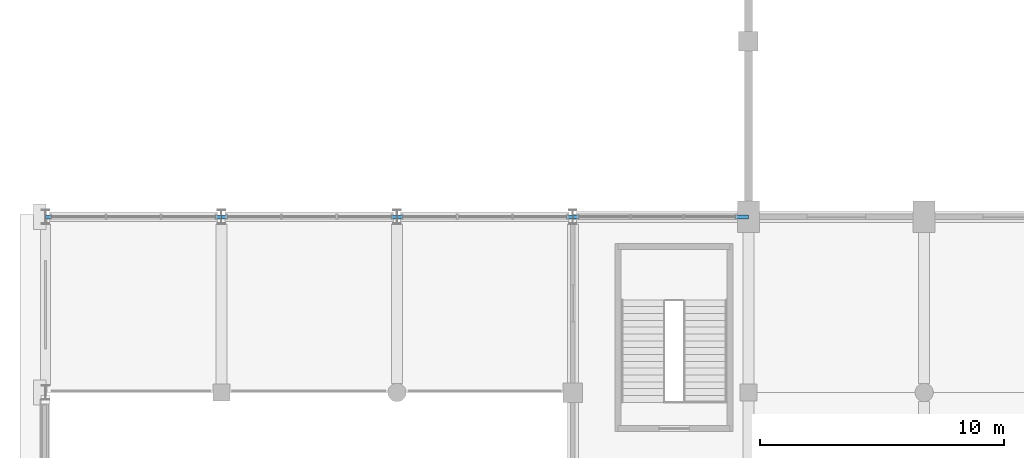
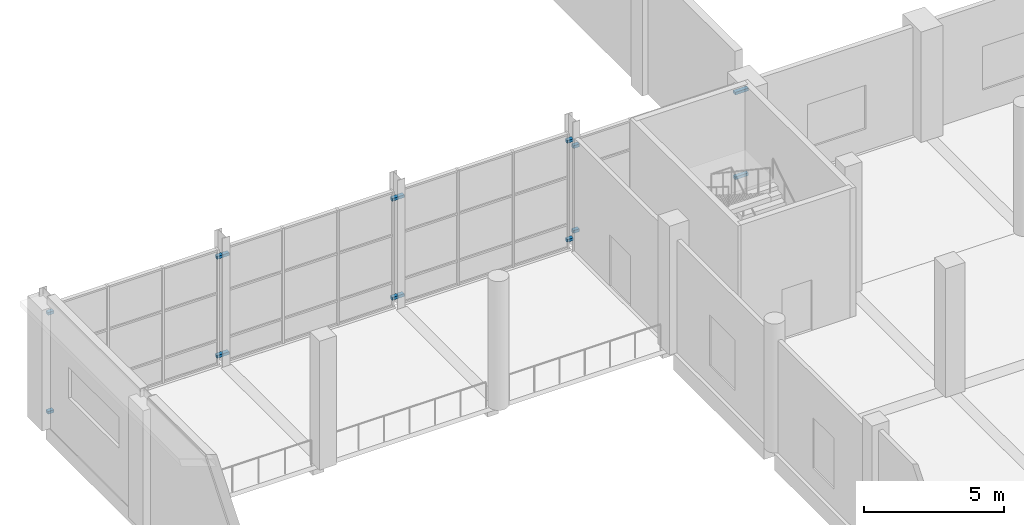
# One storey, part 63 of 80: 16 discrete accessories.
"""IFC4 building model written with IfcOpenShell, lengths in metres."""

from ifc_helpers import new_model, si_unit, direction, frame, origin, place, context, subcontext, project, spatial, rectangle, extrude, material, type_object, element, save


model = new_model("IFC4")

# Units and contexts
model_context = context("Model", 3, precision=1e-05, world=origin(), true_north=direction((0.0, 1.0)))
body_context = subcontext(model_context, "Body", "Model", "MODEL_VIEW")
ifc_project = project(units=[si_unit("LENGTHUNIT", "METRE"), si_unit("AREAUNIT", "SQUARE_METRE"), si_unit("VOLUMEUNIT", "CUBIC_METRE"), si_unit("PLANEANGLEUNIT", "RADIAN"), si_unit("MASSUNIT", "GRAM", prefix="KILO")], contexts=[model_context])

# Site, building, storey
site_placement = place(None, origin())
site = spatial("IfcSite", under=ifc_project, at=site_placement, CompositionType="ELEMENT")
building_placement = place(site_placement, origin())
building = spatial("IfcBuilding", under=site, at=building_placement, Name="Sardonyx Promenade Sports Hall", CompositionType="ELEMENT")
storey_placement = place(building_placement, frame((0.0, 0.0, 5.60009765625)))
storey = spatial("IfcBuildingStorey", under=building, at=storey_placement, Name="L01", CompositionType="ELEMENT", Elevation=5.60009765625)

# Discrete accessories
ifc_material = material(Name="Steel S355JR", Category="steel")
discrete_accessory_type = type_object("IfcDiscreteAccessoryType", Name="Acc_Bracket_S355", PredefinedType="BRACKET", material=ifc_material)
for number, where, z_axis, x_axis, name in (
    (1, (0.125, 72.0, 0.289902), (0.0, 0.0, 1.0), (1.0, 0.0, 0.0), "Curtain-wall jamb bracket L01 #13"),
    (2, (0.125, 72.0, 4.589902), (0.0, 0.0, 1.0), (1.0, 0.0, 0.0), "Curtain-wall jamb bracket L01 #14"),
    (3, (7.075, 72.0, 0.289902), (0.0, 0.0, 1.0), (1.0, 0.0, 0.0), "Curtain-wall jamb bracket L01 #15"),
    (4, (7.075, 72.0, 4.589902), (0.0, 0.0, 1.0), (1.0, 0.0, 0.0), "Curtain-wall jamb bracket L01 #16"),
    (5, (7.325, 72.0, 0.289902), (0.0, 0.0, 1.0), (1.0, 0.0, 0.0), "Curtain-wall jamb bracket L01 #17"),
    (6, (7.325, 72.0, 4.589902), (0.0, 0.0, 1.0), (1.0, 0.0, 0.0), "Curtain-wall jamb bracket L01 #18"),
    (7, (14.275, 72.0, 0.289902), (0.0, 0.0, 1.0), (1.0, 0.0, 0.0), "Curtain-wall jamb bracket L01 #19"),
    (8, (14.275, 72.0, 4.589902), (0.0, 0.0, 1.0), (1.0, 0.0, 0.0), "Curtain-wall jamb bracket L01 #20"),
    (9, (14.525, 72.0, 0.289902), (0.0, 0.0, 1.0), (1.0, 0.0, 0.0), "Curtain-wall jamb bracket L01 #21"),
    (10, (14.525, 72.0, 4.589902), (0.0, 0.0, 1.0), (1.0, 0.0, 0.0), "Curtain-wall jamb bracket L01 #22"),
    (11, (21.475, 72.0, 0.289902), (0.0, 0.0, 1.0), (1.0, 0.0, 0.0), "Curtain-wall jamb bracket L01 #23"),
    (12, (21.475, 72.0, 4.589902), (0.0, 0.0, 1.0), (1.0, 0.0, 0.0), "Curtain-wall jamb bracket L01 #24"),
    (13, (21.725, 72.0, 0.589902), (0.0, 0.0, 1.0), (1.0, 0.0, 0.0), "Curtain-wall jamb bracket L01 #25"),
    (14, (21.725, 72.0, 4.274902), (0.0, 0.0, 1.0), (1.0, 0.0, 0.0), "Curtain-wall jamb bracket L01 #26"),
):
    element("IfcDiscreteAccessory", number, at=place(storey_placement, frame(where, z_axis=z_axis, x_axis=x_axis)), inside=storey, type_object=discrete_accessory_type, material=ifc_material, Name=name, PredefinedType="BRACKET", context=body_context, shape_type="SweptSolid", body=[
        extrude(rectangle(XDim=0.25, YDim=0.16), origin(), (0.0, 0.0, 1.0), 0.12),
    ])
for number, where, z_axis, x_axis, name in (
    (15, (28.525, 72.0, 0.589902), (0.0, 0.0, 1.0), (1.0, 0.0, 0.0), "Curtain-wall jamb bracket L01 #27"),
    (16, (28.525, 72.0, 4.274902), (0.0, 0.0, 1.0), (1.0, 0.0, 0.0), "Curtain-wall jamb bracket L01 #28"),
):
    element("IfcDiscreteAccessory", number, at=place(storey_placement, frame(where, z_axis=z_axis, x_axis=x_axis)), inside=storey, type_object=discrete_accessory_type, material=ifc_material, Name=name, PredefinedType="BRACKET", context=body_context, shape_type="SweptSolid", body=[
        extrude(rectangle(XDim=0.55, YDim=0.16), origin(), (0.0, 0.0, 1.0), 0.12),
    ])

save(model, "model.ifc")
